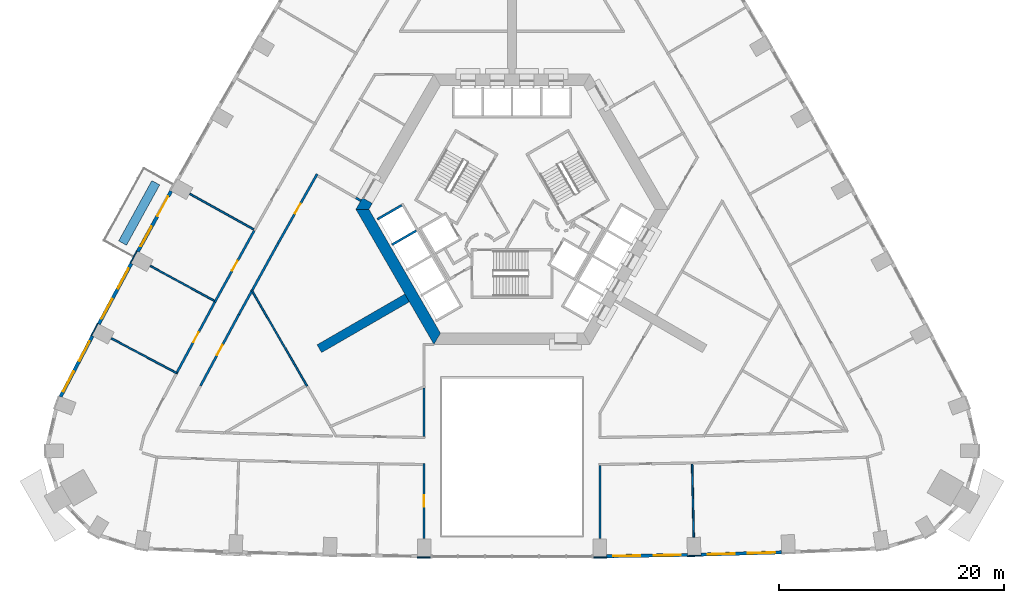
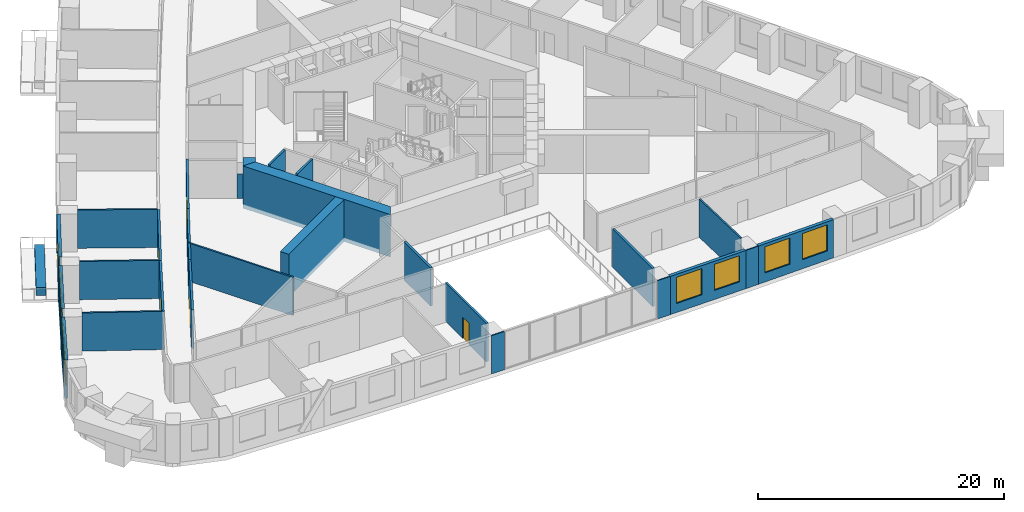
# One storey, part 5 of 16: 31 walls, 9 windows, 6 doors, 15 openings.
"""IFC4 building model written with IfcOpenShell, lengths in metres."""

import ifcopenshell
import ifcopenshell.guid

model = None  # the IFC model being written
_history = None  # IfcOwnerHistory: only IFC2X3 demands one
_inside = {}  # id of a spatial element -> (the spatial element, [elements in it])
_under = {}  # id of a project, library or spatial element -> (it, [spatial elements below it])
_declared = {}  # id of a project -> (the project, [libraries it declares])
_typed = {}  # id of a type object -> (the type object, [elements of that type])
_made_of = {}  # id of a material, layer set ... -> (it, [elements and type objects made of it])


def new_model(schema):
    """Start an empty IFC model of exactly this schema.

    Asked for "IFC4X3", IfcOpenShell would pick the latest addendum, in which some entities
    have other attributes; the version numbers below select the first issue.
    IFC2X3 requires an IfcOwnerHistory on every rooted entity: one is made here for all.
    """
    global model, _history
    if schema == "IFC4X3":
        model = ifcopenshell.file(schema_version=(4, 3, 0, 0))
    else:
        model = ifcopenshell.file(schema=schema)
    _inside.clear()
    _under.clear()
    _declared.clear()
    _typed.clear()
    _made_of.clear()
    _history = None
    if model.schema == "IFC2X3":
        org = make("IfcOrganization", Name="unknown")
        user = make(
            "IfcPersonAndOrganization",
            ThePerson=make("IfcPerson", FamilyName="unknown"),
            TheOrganization=org,
        )
        app = make(
            "IfcApplication",
            ApplicationDeveloper=org,
            Version="unknown",
            ApplicationFullName="unknown",
            ApplicationIdentifier="unknown",
        )
        _history = make(
            "IfcOwnerHistory",
            OwningUser=user,
            OwningApplication=app,
            ChangeAction="ADDED",
            CreationDate=0,
        )
    return model


def make(cls, **values):
    """One entity of the class cls with the attributes given. An attribute that is None is left unset."""
    return model.create_entity(
        cls, **{name: value for name, value in values.items() if value is not None}
    )


def rooted(cls, **values):
    """An entity with a GlobalId (a new one), such as an element, a storey or a relation."""
    return make(cls, GlobalId=ifcopenshell.guid.new(), OwnerHistory=_history, **values)


def si_unit(unit_type, name, prefix=None):
    """IfcSIUnit, for example si_unit("LENGTHUNIT", "METRE", prefix="MILLI")."""
    return make("IfcSIUnit", UnitType=unit_type, Prefix=prefix, Name=name)


def assignment(units):
    """IfcUnitAssignment: the units of a project."""
    return None if units is None else make("IfcUnitAssignment", Units=units)


def point(xyz):
    """IfcCartesianPoint."""
    return None if xyz is None else make("IfcCartesianPoint", Coordinates=xyz)


def direction(xyz):
    """IfcDirection."""
    return None if xyz is None else make("IfcDirection", DirectionRatios=xyz)


def frame(location, z_axis=None, x_axis=None):
    """IfcAxis2Placement3D, a coordinate frame: its origin and axes. An axis left out is left unset."""
    return make(
        "IfcAxis2Placement3D",
        Location=point(location),
        Axis=direction(z_axis),
        RefDirection=direction(x_axis),
    )


def frame_2d(location, x_axis=None):
    """IfcAxis2Placement2D, a coordinate frame in the plane: its origin and x axis."""
    return make(
        "IfcAxis2Placement2D", Location=point(location), RefDirection=direction(x_axis)
    )


def origin():
    """The frame at (0, 0, 0) with its axes left unset."""
    return frame((0.0, 0.0, 0.0))


def place(relative_to, where):
    """IfcLocalPlacement: puts the frame where relative to a parent placement (None: the world)."""
    return make(
        "IfcLocalPlacement", PlacementRelTo=relative_to, RelativePlacement=where
    )


def context(
    kind, dimensions, precision=None, world=None, true_north=None, identifier=None
):
    """IfcGeometricRepresentationContext, for example the 3D "Model" context."""
    return make(
        "IfcGeometricRepresentationContext",
        ContextIdentifier=identifier,
        ContextType=kind,
        CoordinateSpaceDimension=dimensions,
        Precision=precision,
        WorldCoordinateSystem=world,
        TrueNorth=true_north,
    )


def subcontext(parent, identifier, kind, view, scale=None):
    """IfcGeometricRepresentationSubContext, for example "Body" below "Model"."""
    return make(
        "IfcGeometricRepresentationSubContext",
        ContextIdentifier=identifier,
        ContextType=kind,
        ParentContext=parent,
        TargetScale=scale,
        TargetView=view,
    )


def project(units=None, contexts=None):
    """IfcProject with its units and contexts."""
    return rooted(
        "IfcProject",
        Name="project",
        RepresentationContexts=contexts,
        UnitsInContext=assignment(units),
    )


def spatial(cls, under=None, at=None, **own):
    """A site, building, storey or space (cls), placed at a placement, below another one or the project."""
    s = rooted(cls, ObjectPlacement=at, **own)
    if under is not None:
        _under.setdefault(under.id(), (under, []))[1].append(s)
    return s


def polyline(points):
    """IfcPolyline through the points."""
    return make("IfcPolyline", Points=[point(p) for p in points])


def profile(cls, at=None, kind="AREA", **sizes):
    """A parametric profile (cls). Its sizes go by their IFC names, for example OverallWidth=200.0."""
    return make(cls, ProfileType=kind, Position=at, **sizes)


def rectangle(**sizes):
    """IfcRectangleProfileDef."""
    return profile("IfcRectangleProfileDef", **sizes)


def outline(outer, holes=None, kind="AREA"):
    """IfcArbitraryClosedProfileDef: a profile drawn as a closed curve; with holes, ...WithVoids."""
    if holes is None:
        return make("IfcArbitraryClosedProfileDef", ProfileType=kind, OuterCurve=outer)
    return make(
        "IfcArbitraryProfileDefWithVoids",
        ProfileType=kind,
        OuterCurve=outer,
        InnerCurves=holes,
    )


def extrude(swept, where, along, depth):
    """IfcExtrudedAreaSolid: the profile swept, set in the frame where, extruded along a direction by depth."""
    return make(
        "IfcExtrudedAreaSolid",
        SweptArea=swept,
        Position=where,
        ExtrudedDirection=direction(along),
        Depth=depth,
    )


def shape(context_of_items, identifier, shape_type, items):
    """IfcShapeRepresentation: the items that make up one representation, for example the "Body"."""
    return make(
        "IfcShapeRepresentation",
        ContextOfItems=context_of_items,
        RepresentationIdentifier=identifier,
        RepresentationType=shape_type,
        Items=items,
    )


def material(Name=None, Category=None):
    """IfcMaterial."""
    return make("IfcMaterial", Name=Name, Category=Category)


def layer(
    of_material, thickness, ventilated=None, Name=None, Category=None, Priority=None
):
    """IfcMaterialLayer: one layer of a wall or slab, of a material (None: an air gap)."""
    return make(
        "IfcMaterialLayer",
        Material=of_material,
        LayerThickness=thickness,
        IsVentilated=ventilated,
        Name=Name,
        Category=Category,
        Priority=Priority,
    )


def layer_set(layers, Name=None):
    """IfcMaterialLayerSet."""
    return make("IfcMaterialLayerSet", MaterialLayers=layers, LayerSetName=Name)


def made_of(thing, what):
    """Note that an element or type object is made of a material, layer set ...; save() writes the relation."""
    if what is not None:
        _made_of.setdefault(what.id(), (what, []))[1].append(thing)
    return thing


def type_object(cls, material=None, **own):
    """A type object (cls), such as IfcWallType, which elements share."""
    return made_of(rooted(cls, **own), material)


def element(
    cls,
    number,
    at=None,
    inside=None,
    cuts=None,
    type_object=None,
    material=None,
    context=None,
    identifier="Body",
    shape_type=None,
    held_by="IfcProductDefinitionShape",
    body=None,
    shapes=None,
    **own,
):
    """One element of the class cls, such as IfcWall. Its Tag is "e" and its number.

    at: its placement. inside: the storey or other place that contains it. cuts: it is an
    opening in that element (IfcRelVoidsElement). A single representation is given by context,
    identifier, shape_type and body (its items); several are given by shapes. held_by: the class
    of the entity that holds the representations. save() writes the other relations.
    """
    e = rooted(cls, Tag="e%d" % number, ObjectPlacement=at, **own)
    if body is not None:
        shapes = [shape(context, identifier, shape_type, body)]
    if shapes is not None:
        e.Representation = make(held_by, Representations=shapes)
    if inside is not None:
        _inside.setdefault(inside.id(), (inside, []))[1].append(e)
    if cuts is not None:
        rooted(
            "IfcRelVoidsElement", RelatingBuildingElement=cuts, RelatedOpeningElement=e
        )
    if type_object is not None:
        _typed.setdefault(type_object.id(), (type_object, []))[1].append(e)
    return made_of(e, material)


def fill(opening, filler):
    """IfcRelFillsElement: the door or window that sits in an opening."""
    return rooted(
        "IfcRelFillsElement",
        RelatingOpeningElement=opening,
        RelatedBuildingElement=filler,
    )


def aggregate(whole, parts):
    """IfcRelAggregates: a whole, such as a stair, and the parts it consists of."""
    return rooted("IfcRelAggregates", RelatingObject=whole, RelatedObjects=parts)


def save(model, path):
    """Write the relations noted so far, then the file.

    IfcRelAggregates (storeys below a building ...), IfcRelContainedInSpatialStructure (elements
    in a storey), IfcRelDefinesByType, IfcRelAssociatesMaterial and IfcRelDeclares: one each for
    every whole, place, type object, material and project.
    """
    for whole, parts in _under.values():
        aggregate(whole, parts)
    for where, things in _inside.values():
        rooted(
            "IfcRelContainedInSpatialStructure",
            RelatedElements=things,
            RelatingStructure=where,
        )
    for kind, things in _typed.values():
        rooted("IfcRelDefinesByType", RelatedObjects=things, RelatingType=kind)
    for what, things in _made_of.values():
        rooted("IfcRelAssociatesMaterial", RelatedObjects=things, RelatingMaterial=what)
    for by, libraries in _declared.values():
        rooted("IfcRelDeclares", RelatingContext=by, RelatedDefinitions=libraries)
    model.write(path)


model = new_model("IFC4")

# Units and contexts
model_context = context("Model", 3, precision=1e-05, world=origin(), true_north=direction((0.0, 1.0)))
body_context = subcontext(model_context, "Body", "Model", "MODEL_VIEW")
ifc_project = project(units=[si_unit("LENGTHUNIT", "METRE"), si_unit("AREAUNIT", "SQUARE_METRE"), si_unit("VOLUMEUNIT", "CUBIC_METRE"), si_unit("PLANEANGLEUNIT", "RADIAN"), si_unit("MASSUNIT", "GRAM", prefix="KILO")], contexts=[model_context])

# Site, building, storey
site_placement = place(None, origin())
site = spatial("IfcSite", under=ifc_project, at=site_placement, CompositionType="ELEMENT")
building_placement = place(site_placement, origin())
building = spatial("IfcBuilding", under=site, at=building_placement, Name="Entoto Arch Interchange Tower", CompositionType="ELEMENT")
storey_placement = place(building_placement, frame((0.0, 0.0, 43.39990234375)))
storey = spatial("IfcBuildingStorey", under=building, at=storey_placement, Name="L08", CompositionType="ELEMENT", Elevation=43.39990234375)

# Walls
ifc_material_1 = material(Name="Concrete C60/75", Category="concrete")
ifc_layer_1 = layer(ifc_material_1, 0.800048828125)
ifc_layer_set_1 = layer_set([ifc_layer_1], Name="Concrete C60/75")
wall_type_1 = type_object("IfcWallType", Name="Buttress wall 800 C60/75", PredefinedType="SHEAR", material=ifc_layer_set_1)
wall_1_placement = place(storey_placement, frame((-9.31005859375, -5.375, -0.39990234375), z_axis=(0.0, 0.0, 1.0), x_axis=(-0.866017533419, -0.500013631625, 0.0)))
element("IfcWall", 1, at=wall_1_placement, inside=storey, type_object=wall_type_1, Name="Buttress wall SW L08", PredefinedType="SHEAR", context=body_context, shape_type="SweptSolid", body=[
    extrude(rectangle(XDim=8.999755859375, YDim=0.800048828125, at=frame_2d((4.5, 0.0))), origin(), (0.0, 0.0, 1.0), 4.199951171875),
])
ifc_layer_2 = layer(ifc_material_1, 1.0)
ifc_layer_set_2 = layer_set([ifc_layer_2], Name="Concrete C60/75")
wall_type_2 = type_object("IfcWallType", Name="Core wall 1000 C60/75", PredefinedType="SHEAR", material=ifc_layer_set_2)
wall_2_placement = place(storey_placement, frame((0.0, 0.0, -0.39990234375)))
element("IfcWall", 2, at=wall_2_placement, inside=storey, type_object=wall_type_2, Name="Core wall NW L08", PredefinedType="SHEAR", context=body_context, shape_type="SweptSolid", body=[
    extrude(outline(polyline([(-12.402099609375, 3.02001953125), (-13.26708984375, 3.52001953125), (-13.85595703125, 2.5), (-12.701904296875, 2.5), (-12.402099609375, 3.02001953125)])), origin(), (0.0, 0.0, 1.0), 4.199951171875),
])
wall_3_placement = place(storey_placement, frame((0.0, 0.0, -0.39990234375)))
element("IfcWall", 3, at=wall_3_placement, inside=storey, type_object=wall_type_2, Name="Core wall SW L08", PredefinedType="SHEAR", context=body_context, shape_type="SweptSolid", body=[
    extrude(outline(polyline([(-13.85595703125, 2.5), (-6.927978515625, -9.5), (-6.35107421875, -8.5), (-12.701904296875, 2.5), (-13.85595703125, 2.5)])), origin(), (0.0, 0.0, 1.0), 4.199951171875),
])
ifc_material_2 = material(Name="Concrete C40/50", Category="concrete")
ifc_layer_3 = layer(ifc_material_2, 0.199951171875)
ifc_layer_set_3 = layer_set([ifc_layer_3], Name="Concrete C40/50")
wall_type_3 = type_object("IfcWallType", Name="LIFT SHAFT WALL 200", PredefinedType="STANDARD", material=ifc_layer_set_3)
wall_4_placement = place(storey_placement, frame((-9.7880859375, 2.85302734375, 0.0), z_axis=(0.0, 0.0, 1.0), x_axis=(-0.865998541277, -0.500046524342, 0.0)))
element("IfcWall", 4, at=wall_4_placement, inside=storey, type_object=wall_type_3, Name="Shaft wall SW3 cross 1", PredefinedType="STANDARD", context=body_context, shape_type="SweptSolid", body=[
    extrude(rectangle(XDim=2.499755859375, YDim=0.199951171875, at=frame_2d((1.25, 0.0))), origin(), (0.0, 0.0, 1.0), 3.800048828125),
])
wall_5_placement = place(storey_placement, frame((-8.488037109375, 0.60205078125, 0.0), z_axis=(0.0, 0.0, 1.0), x_axis=(-0.866022959057, -0.500004234368, 0.0)))
element("IfcWall", 5, at=wall_5_placement, inside=storey, type_object=wall_type_3, Name="Shaft wall SW3 cross 2", PredefinedType="STANDARD", context=body_context, shape_type="SweptSolid", body=[
    extrude(rectangle(XDim=2.5, YDim=0.199951171875, at=frame_2d((1.25, 0.0))), origin(), (0.0, 0.0, 1.0), 3.800048828125),
])
ifc_material_3 = material(Name="Gypsum board partition on steel studs", Category="steel")
ifc_layer_4 = layer(ifc_material_3, 0.14990234375)
ifc_layer_set_4 = layer_set([ifc_layer_4], Name="Gypsum board partition on steel studs")
wall_type_4 = type_object("IfcWallType", Name="PARTITION 150", PredefinedType="PARTITIONING", material=ifc_layer_set_4)
wall_6_placement = place(storey_placement, frame((-18.181884765625, -13.20703125, 0.0), z_axis=(0.0, 0.0, 1.0), x_axis=(-0.500081416649, 0.865978392757, 0.0)))
element("IfcWall", 6, at=wall_6_placement, inside=storey, type_object=wall_type_4, Name="wall:L08:p122", PredefinedType="PARTITIONING", context=body_context, shape_type="SweptSolid", body=[
    extrude(rectangle(XDim=9.890380859375, YDim=0.14990234375, at=frame_2d((4.9453125, 0.0))), origin(), (0.0, 0.0, 1.0), 3.800048828125),
])
wall_7_placement = place(storey_placement, frame((15.988037109375, -20.123046875, 0.0), z_axis=(0.0, 0.0, 1.0), x_axis=(0.022230127358, -0.999752880185, 0.0)))
element("IfcWall", 7, at=wall_7_placement, inside=storey, type_object=wall_type_4, Name="wall:L08:p126", PredefinedType="PARTITIONING", context=body_context, shape_type="SweptSolid", body=[
    extrude(rectangle(XDim=6.479736328125, YDim=0.14990234375, at=frame_2d((3.23974609375, 0.0))), origin(), (0.0, 0.0, 1.0), 3.800048828125),
])
wall_8_placement = place(storey_placement, frame((-22.93505859375, 0.7119140625, 0.0), z_axis=(0.0, 0.0, 1.0), x_axis=(-0.873395616379, 0.487011393389, 0.0)))
element("IfcWall", 8, at=wall_8_placement, inside=storey, type_object=wall_type_4, Name="wall:L08:p141", PredefinedType="PARTITIONING", context=body_context, shape_type="SweptSolid", body=[
    extrude(rectangle(XDim=6.48046875, YDim=0.14990234375, at=frame_2d((3.240234375, 0.0))), origin(), (0.0, 0.0, 1.0), 3.800048828125),
])
wall_9_placement = place(storey_placement, frame((-26.425048828125, -5.623046875, 0.0), z_axis=(0.0, 0.0, 1.0), x_axis=(-0.87825523631, 0.478192157919, 0.0)))
element("IfcWall", 9, at=wall_9_placement, inside=storey, type_object=wall_type_4, Name="wall:L08:p142", PredefinedType="PARTITIONING", context=body_context, shape_type="SweptSolid", body=[
    extrude(rectangle(XDim=6.48095703125, YDim=0.14990234375, at=frame_2d((3.240478515625, 0.0))), origin(), (0.0, 0.0, 1.0), 3.800048828125),
])
wall_10_placement = place(storey_placement, frame((-29.763916015625, -12.0400390625, 0.0), z_axis=(0.0, 0.0, 1.0), x_axis=(-0.883018657393, 0.469337885426, 0.0)))
element("IfcWall", 10, at=wall_10_placement, inside=storey, type_object=wall_type_4, Name="wall:L08:p143", PredefinedType="PARTITIONING", context=body_context, shape_type="SweptSolid", body=[
    extrude(rectangle(XDim=6.579833984375, YDim=0.14990234375, at=frame_2d((3.2900390625, 0.0))), origin(), (0.0, 0.0, 1.0), 3.800048828125),
])

# Wall, opening, door
ifc_layer_5 = layer(ifc_material_3, 0.199951171875)
ifc_layer_set_5 = layer_set([ifc_layer_5], Name="Gypsum board partition on steel studs")
wall_type_5 = type_object("IfcWallType", Name="PARTITION 200", PredefinedType="PARTITIONING", material=ifc_layer_set_5)
wall_11_placement = place(storey_placement, frame((-17.299072265625, 5.616943359375, 0.0), z_axis=(0.0, 0.0, 1.0), x_axis=(-0.491166441632, -0.871065741844, 0.0)))
wall_11 = element("IfcWall", 11, at=wall_11_placement, inside=storey, type_object=wall_type_5, Name="wall:L08:p026", PredefinedType="PARTITIONING", context=body_context, shape_type="SweptSolid", body=[
    extrude(rectangle(XDim=7.028076171875, YDim=0.199951171875, at=frame_2d((3.51416015625, 0.0))), origin(), (0.0, 0.0, 1.0), 3.800048828125),
])
opening_1_placement = place(wall_11_placement, frame((3.013916015625, 0.0, 0.0)))
opening_1 = element("IfcOpeningElement", 12, at=opening_1_placement, cuts=wall_11, Name="Opening L08-D30", PredefinedType="OPENING", context=body_context, shape_type="SweptSolid", body=[
    extrude(rectangle(XDim=1.0, YDim=2.10009765625, at=frame_2d((0.5, 1.050048828125))), frame((0.0, 0.10986328125, 0.0), z_axis=(0.0, -1.0, 0.0), x_axis=(1.0, 0.0, 0.0)), (0.0, 0.0, 1.0), 0.219970703125),
])
ifc_material_4 = material(Name="Timber door leaf in Steel S235 frame", Category="steel")
door_type_1 = type_object("IfcDoorType", Name="DOOR DS-10 1000x2100", OperationType="SINGLE_SWING_LEFT", PredefinedType="DOOR", material=ifc_material_4)
door_1_placement = place(opening_1_placement, origin())
door_1 = element("IfcDoor", 13, at=door_1_placement, inside=storey, type_object=door_type_1, Name="door:L08:30", OperationType="SINGLE_SWING_RIGHT", OverallHeight=2.10009765625, OverallWidth=1.0, PredefinedType="DOOR", context=body_context, shape_type="SweptSolid", body=[
    extrude(rectangle(XDim=1.0, YDim=2.10009765625, at=frame_2d((0.5, 1.050048828125))), frame((0.0, 0.02490234375, 0.0), z_axis=(0.0, -1.0, 0.0), x_axis=(1.0, 0.0, 0.0)), (0.0, 0.0, 1.0), 0.050048828125),
])
fill(opening_1, door_1)

# Walls
wall_12_placement = place(storey_placement, frame((-20.7509765625, -0.5048828125, 0.0), z_axis=(0.0, 0.0, 1.0), x_axis=(-0.482566110981, -0.875859548405, 0.0)))
element("IfcWall", 14, at=wall_12_placement, inside=storey, type_object=wall_type_5, Name="wall:L08:p027", PredefinedType="PARTITIONING", context=body_context, shape_type="SweptSolid", body=[
    extrude(rectangle(XDim=4.74755859375, YDim=0.199951171875, at=frame_2d((2.373779296875, 0.0))), origin(), (0.0, 0.0, 1.0), 3.800048828125),
])
wall_13_placement = place(storey_placement, frame((-23.114013671875, -4.7939453125, 0.0), z_axis=(0.0, 0.0, 1.0), x_axis=(-0.482482362329, -0.875905685586, 0.0)))
element("IfcWall", 15, at=wall_13_placement, inside=storey, type_object=wall_type_5, Name="wall:L08:p029", PredefinedType="PARTITIONING", context=body_context, shape_type="SweptSolid", body=[
    extrude(rectangle(XDim=2.31103515625, YDim=0.199951171875, at=frame_2d((1.155517578125, 0.0))), origin(), (0.0, 0.0, 1.0), 3.800048828125),
])

# Wall, opening, door
wall_14_placement = place(storey_placement, frame((-24.22900390625, -6.818115234375, 0.0), z_axis=(0.0, 0.0, 1.0), x_axis=(-0.473714049803, -0.88067871498, 0.0)))
wall_14 = element("IfcWall", 16, at=wall_14_placement, inside=storey, type_object=wall_type_5, Name="wall:L08:p030", PredefinedType="PARTITIONING", context=body_context, shape_type="SweptSolid", body=[
    extrude(rectangle(XDim=7.208984375, YDim=0.199951171875, at=frame_2d((3.6044921875, 0.0))), origin(), (0.0, 0.0, 1.0), 3.800048828125),
])
opening_2_placement = place(wall_14_placement, frame((3.10400390625, 0.0, 0.0)))
opening_2 = element("IfcOpeningElement", 17, at=opening_2_placement, cuts=wall_14, Name="Opening L08-D32", PredefinedType="OPENING", context=body_context, shape_type="SweptSolid", body=[
    extrude(rectangle(XDim=1.0, YDim=2.10009765625, at=frame_2d((0.5, 1.050048828125))), frame((0.0, 0.10986328125, 0.0), z_axis=(0.0, -1.0, 0.0), x_axis=(1.0, 0.0, 0.0)), (0.0, 0.0, 1.0), 0.219970703125),
])
door_2_placement = place(opening_2_placement, origin())
door_2 = element("IfcDoor", 18, at=door_2_placement, inside=storey, type_object=door_type_1, Name="door:L08:32", OperationType="SINGLE_SWING_RIGHT", OverallHeight=2.10009765625, OverallWidth=1.0, PredefinedType="DOOR", context=body_context, shape_type="SweptSolid", body=[
    extrude(rectangle(XDim=1.0, YDim=2.10009765625, at=frame_2d((0.5, 1.050048828125))), frame((0.0, 0.02490234375, 0.0), z_axis=(0.0, -1.0, 0.0), x_axis=(1.0, 0.0, 0.0)), (0.0, 0.0, 1.0), 0.050048828125),
])
fill(opening_2, door_2)

wall_15_placement = place(storey_placement, frame((-26.373046875, -5.736083984375, 0.0), z_axis=(0.0, 0.0, 1.0), x_axis=(0.482587313112, 0.875847866483, 0.0)))
wall_15 = element("IfcWall", 19, at=wall_15_placement, inside=storey, type_object=wall_type_5, Name="wall:L08:p064", PredefinedType="PARTITIONING", context=body_context, shape_type="SweptSolid", body=[
    extrude(rectangle(XDim=7.23193359375, YDim=0.199951171875, at=frame_2d((3.615966796875, 0.0))), origin(), (0.0, 0.0, 1.0), 3.800048828125),
])
opening_3_placement = place(wall_15_placement, frame((3.19091796875, 0.0, 0.0)))
opening_3 = element("IfcOpeningElement", 20, at=opening_3_placement, cuts=wall_15, Name="Opening L08-D17", PredefinedType="OPENING", context=body_context, shape_type="SweptSolid", body=[
    extrude(rectangle(XDim=1.0, YDim=2.10009765625, at=frame_2d((0.5, 1.050048828125))), frame((0.0, 0.10986328125, 0.0), z_axis=(0.0, -1.0, 0.0), x_axis=(1.0, 0.0, 0.0)), (0.0, 0.0, 1.0), 0.219970703125),
])
door_3_placement = place(opening_3_placement, origin())
door_3 = element("IfcDoor", 21, at=door_3_placement, inside=storey, type_object=door_type_1, Name="door:L08:17", OperationType="SINGLE_SWING_LEFT", OverallHeight=2.10009765625, OverallWidth=1.0, PredefinedType="DOOR", context=body_context, shape_type="SweptSolid", body=[
    extrude(rectangle(XDim=1.0, YDim=2.10009765625, at=frame_2d((0.5, 1.050048828125))), frame((0.0, 0.02490234375, 0.0), z_axis=(0.0, -1.0, 0.0), x_axis=(1.0, 0.0, 0.0)), (0.0, 0.0, 1.0), 0.050048828125),
])
fill(opening_3, door_3)

wall_16_placement = place(storey_placement, frame((-29.799072265625, -12.10595703125, 0.0), z_axis=(0.0, 0.0, 1.0), x_axis=(0.473681086062, 0.880696445268, 0.0)))
wall_16 = element("IfcWall", 22, at=wall_16_placement, inside=storey, type_object=wall_type_5, Name="wall:L08:p065", PredefinedType="PARTITIONING", context=body_context, shape_type="SweptSolid", body=[
    extrude(rectangle(XDim=7.232666015625, YDim=0.199951171875, at=frame_2d((3.6162109375, 0.0))), origin(), (0.0, 0.0, 1.0), 3.800048828125),
])
opening_4_placement = place(wall_16_placement, frame((3.19091796875, 0.0, 0.0)))
opening_4 = element("IfcOpeningElement", 23, at=opening_4_placement, cuts=wall_16, Name="Opening L08-D18", PredefinedType="OPENING", context=body_context, shape_type="SweptSolid", body=[
    extrude(rectangle(XDim=1.0, YDim=2.10009765625, at=frame_2d((0.5, 1.050048828125))), frame((0.0, 0.10986328125, 0.0), z_axis=(0.0, -1.0, 0.0), x_axis=(1.0, 0.0, 0.0)), (0.0, 0.0, 1.0), 0.219970703125),
])
door_4_placement = place(opening_4_placement, origin())
door_4 = element("IfcDoor", 24, at=door_4_placement, inside=storey, type_object=door_type_1, Name="door:L08:18", OperationType="SINGLE_SWING_RIGHT", OverallHeight=2.10009765625, OverallWidth=1.0, PredefinedType="DOOR", context=body_context, shape_type="SweptSolid", body=[
    extrude(rectangle(XDim=1.0, YDim=2.10009765625, at=frame_2d((0.5, 1.050048828125))), frame((0.0, 0.02490234375, 0.0), z_axis=(0.0, -1.0, 0.0), x_axis=(1.0, 0.0, 0.0)), (0.0, 0.0, 1.0), 0.050048828125),
])
fill(opening_4, door_4)

# Walls
wall_17_placement = place(storey_placement, frame((-7.800048828125, -17.656982421875, 0.0), z_axis=(0.0, 0.0, 1.0), x_axis=(0.0, 1.0, 0.0)))
element("IfcWall", 25, at=wall_17_placement, inside=storey, type_object=wall_type_5, Name="wall:L08:p107", PredefinedType="PARTITIONING", context=body_context, shape_type="SweptSolid", body=[
    extrude(rectangle(XDim=4.2958984375, YDim=0.199951171875, at=frame_2d((2.14794921875, 0.0))), origin(), (0.0, 0.0, 1.0), 3.800048828125),
])
wall_18_placement = place(storey_placement, frame((7.800048828125, -20.257080078125, 0.0), z_axis=(0.0, 0.0, 1.0), x_axis=(0.0, -1.0, 0.0)))
element("IfcWall", 26, at=wall_18_placement, inside=storey, type_object=wall_type_5, Name="wall:L08:p108", PredefinedType="PARTITIONING", context=body_context, shape_type="SweptSolid", body=[
    extrude(rectangle(XDim=6.48095703125, YDim=0.199951171875, at=frame_2d((3.240478515625, 0.0))), origin(), (0.0, 0.0, 1.0), 3.800048828125),
])

# Wall, opening, door
wall_19_placement = place(storey_placement, frame((-7.800048828125, -26.738037109375, 0.0), z_axis=(0.0, 0.0, 1.0), x_axis=(0.0, 1.0, 0.0)))
wall_19 = element("IfcWall", 27, at=wall_19_placement, inside=storey, type_object=wall_type_5, Name="wall:L08:p109", PredefinedType="PARTITIONING", context=body_context, shape_type="SweptSolid", body=[
    extrude(rectangle(XDim=6.68115234375, YDim=0.199951171875, at=frame_2d((3.340576171875, 0.0))), origin(), (0.0, 0.0, 1.0), 3.800048828125),
])
opening_5_placement = place(wall_19_placement, frame((2.841064453125, 0.0, 0.0)))
opening_5 = element("IfcOpeningElement", 28, at=opening_5_placement, cuts=wall_19, Name="Opening L08-D22", PredefinedType="OPENING", context=body_context, shape_type="SweptSolid", body=[
    extrude(rectangle(XDim=1.0, YDim=2.10009765625, at=frame_2d((0.5, 1.050048828125))), frame((0.0, 0.10986328125, 0.0), z_axis=(0.0, -1.0, 0.0), x_axis=(1.0, 0.0, 0.0)), (0.0, 0.0, 1.0), 0.219970703125),
])
door_5_placement = place(opening_5_placement, origin())
door_5 = element("IfcDoor", 29, at=door_5_placement, inside=storey, type_object=door_type_1, Name="door:L08:22", OperationType="SINGLE_SWING_LEFT", OverallHeight=2.10009765625, OverallWidth=1.0, PredefinedType="DOOR", context=body_context, shape_type="SweptSolid", body=[
    extrude(rectangle(XDim=1.0, YDim=2.10009765625, at=frame_2d((0.5, 1.050048828125))), frame((0.0, 0.02490234375, 0.0), z_axis=(0.0, -1.0, 0.0), x_axis=(1.0, 0.0, 0.0)), (0.0, 0.0, 1.0), 0.050048828125),
])
fill(opening_5, door_5)

# Walls
wall_20_placement = place(storey_placement, frame((-13.85009765625, 3.510009765625, 0.0), z_axis=(0.0, 0.0, 1.0), x_axis=(0.866071776036, -0.499919672301, 0.0)))
element("IfcWall", 30, at=wall_20_placement, inside=storey, type_object=wall_type_5, Name="wall:L08:p025", PredefinedType="PARTITIONING", context=body_context, shape_type="SweptSolid", body=[
    extrude(rectangle(XDim=0.5, YDim=0.199951171875, at=frame_2d((0.25, 0.0))), origin(), (0.0, 0.0, 1.0), 2.400146484375),
])
ifc_material_5 = material(Name="Board-marked precast concrete C50/60", Category="concrete")
ifc_layer_6 = layer(ifc_material_5, 0.800048828125)
ifc_layer_set_6 = layer_set([ifc_layer_6], Name="Board-marked precast concrete C50/60")
wall_type_6 = type_object("IfcWallType", Name="PLANTER RC 800 Hagenia abyssinica", PredefinedType="STANDARD", material=ifc_layer_set_6)
wall_21_placement = place(storey_placement, frame((-31.613037109375, 4.85498046875, 0.0), z_axis=(0.0, 0.0, 1.0), x_axis=(-0.482565377311, -0.87585995263, 0.0)))
element("IfcWall", 31, at=wall_21_placement, inside=storey, type_object=wall_type_6, Name="Planter NW-07 L08", PredefinedType="STANDARD", context=body_context, shape_type="SweptSolid", body=[
    extrude(rectangle(XDim=6.114990234375, YDim=0.800048828125, at=frame_2d((3.0576171875, 0.0))), origin(), (0.0, 0.0, 1.0), 0.800048828125),
])

# Wall, openings, windows
ifc_material_6 = material(Name="Welded tuff (ignimbrite) cladding, warm buff", Category="masonry")
ifc_layer_7 = layer(ifc_material_6, 0.300048828125)
ifc_layer_set_7 = layer_set([ifc_layer_7], Name="Welded tuff (ignimbrite) cladding, warm buff")
wall_type_7 = type_object("IfcWallType", Name="STONE INFILL WALL 300", PredefinedType="STANDARD", material=ifc_layer_set_7)
wall_22_placement = place(storey_placement, frame((8.39794921875, -28.298095703125, 0.0), z_axis=(0.0, 0.0, 1.0), x_axis=(0.999866467443, 0.016341581408, 0.0)))
wall_22 = element("IfcWall", 32, at=wall_22_placement, inside=storey, type_object=wall_type_7, Name="Facade wall S-05 L08", PredefinedType="STANDARD", context=body_context, shape_type="SweptSolid", body=[
    extrude(rectangle(XDim=7.171142578125, YDim=0.300048828125, at=frame_2d((3.58544921875, 0.0))), origin(), (0.0, 0.0, 1.0), 3.800048828125),
])
opening_6_placement = place(wall_22_placement, frame((0.593017578125, 0.0, 0.89990234375)))
opening_6 = element("IfcOpeningElement", 33, at=opening_6_placement, cuts=wall_22, Name="Opening WO-A", PredefinedType="OPENING", context=body_context, shape_type="SweptSolid", body=[
    extrude(rectangle(XDim=2.39990234375, YDim=2.60009765625, at=frame_2d((1.199951171875, 1.300048828125))), frame((0.0, 0.16015625, 0.0), z_axis=(0.0, -1.0, 0.0), x_axis=(1.0, 0.0, 0.0)), (0.0, 0.0, 1.0), 0.320068359375),
])
opening_7_placement = place(wall_22_placement, frame((4.177978515625, 0.0, 0.89990234375)))
opening_7 = element("IfcOpeningElement", 34, at=opening_7_placement, cuts=wall_22, Name="Opening WO-A", PredefinedType="OPENING", context=body_context, shape_type="SweptSolid", body=[
    extrude(rectangle(XDim=2.39990234375, YDim=2.60009765625, at=frame_2d((1.199951171875, 1.300048828125))), frame((0.0, 0.16015625, 0.0), z_axis=(0.0, -1.0, 0.0), x_axis=(1.0, 0.0, 0.0)), (0.0, 0.0, 1.0), 0.320068359375),
])
ifc_material_7 = material(Name="Clear glass, low-e double glazed", Category="glass")
window_type_1 = type_object("IfcWindowType", Name="WINDOW WO-A 2400x2600", PartitioningType="DOUBLE_PANEL_VERTICAL", PredefinedType="WINDOW", material=ifc_material_7)
window_1_placement = place(opening_6_placement, origin())
window_1 = element("IfcWindow", 35, at=window_1_placement, inside=storey, type_object=window_type_1, Name="Window WO-A S-05 L08", OverallHeight=2.60009765625, OverallWidth=2.39990234375, PartitioningType="SINGLE_PANEL", PredefinedType="WINDOW", context=body_context, shape_type="SweptSolid", body=[
    extrude(rectangle(XDim=2.39990234375, YDim=2.60009765625, at=frame_2d((1.199951171875, 1.300048828125))), frame((0.0, 0.030029296875, 0.0), z_axis=(0.0, -1.0, 0.0), x_axis=(1.0, 0.0, 0.0)), (0.0, 0.0, 1.0), 0.06005859375),
])
fill(opening_6, window_1)
window_2_placement = place(opening_7_placement, origin())
window_2 = element("IfcWindow", 36, at=window_2_placement, inside=storey, type_object=window_type_1, Name="Window WO-A S-05 L08", OverallHeight=2.60009765625, OverallWidth=2.39990234375, PartitioningType="SINGLE_PANEL", PredefinedType="WINDOW", context=body_context, shape_type="SweptSolid", body=[
    extrude(rectangle(XDim=2.39990234375, YDim=2.60009765625, at=frame_2d((1.199951171875, 1.300048828125))), frame((0.0, 0.030029296875, 0.0), z_axis=(0.0, -1.0, 0.0), x_axis=(1.0, 0.0, 0.0)), (0.0, 0.0, 1.0), 0.06005859375),
])
fill(opening_7, window_2)

wall_23_placement = place(storey_placement, frame((16.764892578125, -28.154052734375, 0.0), z_axis=(0.0, 0.0, 1.0), x_axis=(0.999611502654, 0.02787191709, 0.0)))
wall_23 = element("IfcWall", 37, at=wall_23_placement, inside=storey, type_object=wall_type_7, Name="Facade wall S-06 L08", PredefinedType="STANDARD", context=body_context, shape_type="SweptSolid", body=[
    extrude(rectangle(XDim=7.173828125, YDim=0.300048828125, at=frame_2d((3.5869140625, 0.0))), origin(), (0.0, 0.0, 1.0), 3.800048828125),
])
opening_8_placement = place(wall_23_placement, frame((0.593017578125, 0.0, 0.89990234375)))
opening_8 = element("IfcOpeningElement", 38, at=opening_8_placement, cuts=wall_23, Name="Opening WO-A", PredefinedType="OPENING", context=body_context, shape_type="SweptSolid", body=[
    extrude(rectangle(XDim=2.39990234375, YDim=2.60009765625, at=frame_2d((1.199951171875, 1.300048828125))), frame((0.0, 0.16015625, 0.0), z_axis=(0.0, -1.0, 0.0), x_axis=(1.0, 0.0, 0.0)), (0.0, 0.0, 1.0), 0.320068359375),
])
opening_9_placement = place(wall_23_placement, frame((4.179931640625, 0.0, 0.89990234375)))
opening_9 = element("IfcOpeningElement", 39, at=opening_9_placement, cuts=wall_23, Name="Opening WO-A", PredefinedType="OPENING", context=body_context, shape_type="SweptSolid", body=[
    extrude(rectangle(XDim=2.39990234375, YDim=2.60009765625, at=frame_2d((1.199951171875, 1.300048828125))), frame((0.0, 0.16015625, 0.0), z_axis=(0.0, -1.0, 0.0), x_axis=(1.0, 0.0, 0.0)), (0.0, 0.0, 1.0), 0.320068359375),
])
window_3_placement = place(opening_8_placement, origin())
window_3 = element("IfcWindow", 40, at=window_3_placement, inside=storey, type_object=window_type_1, Name="Window WO-A S-06 L08", OverallHeight=2.60009765625, OverallWidth=2.39990234375, PartitioningType="SINGLE_PANEL", PredefinedType="WINDOW", context=body_context, shape_type="SweptSolid", body=[
    extrude(rectangle(XDim=2.39990234375, YDim=2.60009765625, at=frame_2d((1.199951171875, 1.300048828125))), frame((0.0, 0.030029296875, 0.0), z_axis=(0.0, -1.0, 0.0), x_axis=(1.0, 0.0, 0.0)), (0.0, 0.0, 1.0), 0.06005859375),
])
fill(opening_8, window_3)
window_4_placement = place(opening_9_placement, origin())
window_4 = element("IfcWindow", 41, at=window_4_placement, inside=storey, type_object=window_type_1, Name="Window WO-A S-06 L08", OverallHeight=2.60009765625, OverallWidth=2.39990234375, PartitioningType="SINGLE_PANEL", PredefinedType="WINDOW", context=body_context, shape_type="SweptSolid", body=[
    extrude(rectangle(XDim=2.39990234375, YDim=2.60009765625, at=frame_2d((1.199951171875, 1.300048828125))), frame((0.0, 0.030029296875, 0.0), z_axis=(0.0, -1.0, 0.0), x_axis=(1.0, 0.0, 0.0)), (0.0, 0.0, 1.0), 0.06005859375),
])
fill(opening_9, window_4)

# Wall, openings, door, window
wall_24_placement = place(storey_placement, frame((-30.2548828125, 4.10693359375, 0.0), z_axis=(0.0, 0.0, 1.0), x_axis=(-0.482596003603, -0.875843078015, 0.0)))
wall_24 = element("IfcWall", 42, at=wall_24_placement, inside=storey, type_object=wall_type_7, Name="Facade wall NW-07 L08", PredefinedType="STANDARD", context=body_context, shape_type="SweptSolid", body=[
    extrude(rectangle(XDim=6.115234375, YDim=0.300048828125, at=frame_2d((3.0576171875, 0.0))), origin(), (0.0, 0.0, 1.0), 3.800048828125),
])
opening_10_placement = place(wall_24_placement, frame((0.529052734375, 0.0, 0.0)))
opening_10 = element("IfcOpeningElement", 43, at=opening_10_placement, cuts=wall_24, Name="Opening DB-NW-07-L08", PredefinedType="OPENING", context=body_context, shape_type="SweptSolid", body=[
    extrude(rectangle(XDim=2.0, YDim=2.39990234375, at=frame_2d((1.0, 1.199951171875))), frame((0.0, 0.16015625, 0.0), z_axis=(0.0, -1.0, 0.0), x_axis=(1.0, 0.0, 0.0)), (0.0, 0.0, 1.0), 0.320068359375),
])
opening_11_placement = place(wall_24_placement, frame((3.5859375, 0.0, 0.89990234375)))
opening_11 = element("IfcOpeningElement", 44, at=opening_11_placement, cuts=wall_24, Name="Opening WO-C", PredefinedType="OPENING", context=body_context, shape_type="SweptSolid", body=[
    extrude(rectangle(XDim=2.0, YDim=2.60009765625, at=frame_2d((1.0, 1.300048828125))), frame((0.0, 0.16015625, 0.0), z_axis=(0.0, -1.0, 0.0), x_axis=(1.0, 0.0, 0.0)), (0.0, 0.0, 1.0), 0.320068359375),
])
ifc_material_8 = material(Name="Aluminium and clear glass, anodised", Category="aluminium")
door_type_2 = type_object("IfcDoorType", Name="BALCONY DOOR DB 2000x2400", OperationType="SLIDING_TO_LEFT", PredefinedType="DOOR", material=ifc_material_8)
door_6_placement = place(opening_10_placement, origin())
door_6 = element("IfcDoor", 45, at=door_6_placement, inside=storey, type_object=door_type_2, Name="Balcony door NW-07 L08", OperationType="SLIDING_TO_LEFT", OverallHeight=2.39990234375, OverallWidth=2.0, PredefinedType="DOOR", context=body_context, shape_type="SweptSolid", body=[
    extrude(rectangle(XDim=2.0, YDim=2.39990234375, at=frame_2d((1.0, 1.199951171875))), frame((0.0, 0.02490234375, 0.0), z_axis=(0.0, -1.0, 0.0), x_axis=(1.0, 0.0, 0.0)), (0.0, 0.0, 1.0), 0.050048828125),
])
fill(opening_10, door_6)
window_type_2 = type_object("IfcWindowType", Name="WINDOW WO-C 2000x2600", PartitioningType="DOUBLE_PANEL_VERTICAL", PredefinedType="WINDOW", material=ifc_material_7)
window_5_placement = place(opening_11_placement, origin())
window_5 = element("IfcWindow", 46, at=window_5_placement, inside=storey, type_object=window_type_2, Name="Window WO-C NW-07 L08", OverallHeight=2.60009765625, OverallWidth=2.0, PartitioningType="SINGLE_PANEL", PredefinedType="WINDOW", context=body_context, shape_type="SweptSolid", body=[
    extrude(rectangle(XDim=2.0, YDim=2.60009765625, at=frame_2d((1.0, 1.300048828125))), frame((0.0, 0.030029296875, 0.0), z_axis=(0.0, -1.0, 0.0), x_axis=(1.0, 0.0, 0.0)), (0.0, 0.0, 1.0), 0.06005859375),
])
fill(opening_11, window_5)

# Wall, openings, windows
wall_25_placement = place(storey_placement, frame((-33.779052734375, -2.301025390625, 0.0), z_axis=(0.0, 0.0, 1.0), x_axis=(-0.47375467653, -0.880656860795, 0.0)))
wall_25 = element("IfcWall", 47, at=wall_25_placement, inside=storey, type_object=wall_type_7, Name="Facade wall NW-08 L08", PredefinedType="STANDARD", context=body_context, shape_type="SweptSolid", body=[
    extrude(rectangle(XDim=6.116943359375, YDim=0.300048828125, at=frame_2d((3.05859375, 0.0))), origin(), (0.0, 0.0, 1.0), 3.800048828125),
])
opening_12_placement = place(wall_25_placement, frame((0.529052734375, 0.0, 0.89990234375)))
opening_12 = element("IfcOpeningElement", 48, at=opening_12_placement, cuts=wall_25, Name="Opening WO-C", PredefinedType="OPENING", context=body_context, shape_type="SweptSolid", body=[
    extrude(rectangle(XDim=2.0, YDim=2.60009765625, at=frame_2d((1.0, 1.300048828125))), frame((0.0, 0.16015625, 0.0), z_axis=(0.0, -1.0, 0.0), x_axis=(1.0, 0.0, 0.0)), (0.0, 0.0, 1.0), 0.320068359375),
])
opening_13_placement = place(wall_25_placement, frame((3.587890625, 0.0, 0.89990234375)))
opening_13 = element("IfcOpeningElement", 49, at=opening_13_placement, cuts=wall_25, Name="Opening WO-C", PredefinedType="OPENING", context=body_context, shape_type="SweptSolid", body=[
    extrude(rectangle(XDim=2.0, YDim=2.60009765625, at=frame_2d((1.0, 1.300048828125))), frame((0.0, 0.16015625, 0.0), z_axis=(0.0, -1.0, 0.0), x_axis=(1.0, 0.0, 0.0)), (0.0, 0.0, 1.0), 0.320068359375),
])
window_6_placement = place(opening_12_placement, origin())
window_6 = element("IfcWindow", 50, at=window_6_placement, inside=storey, type_object=window_type_2, Name="Window WO-C NW-08 L08", OverallHeight=2.60009765625, OverallWidth=2.0, PartitioningType="SINGLE_PANEL", PredefinedType="WINDOW", context=body_context, shape_type="SweptSolid", body=[
    extrude(rectangle(XDim=2.0, YDim=2.60009765625, at=frame_2d((1.0, 1.300048828125))), frame((0.0, 0.030029296875, 0.0), z_axis=(0.0, -1.0, 0.0), x_axis=(1.0, 0.0, 0.0)), (0.0, 0.0, 1.0), 0.06005859375),
])
fill(opening_12, window_6)
window_7_placement = place(opening_13_placement, origin())
window_7 = element("IfcWindow", 51, at=window_7_placement, inside=storey, type_object=window_type_2, Name="Window WO-C NW-08 L08", OverallHeight=2.60009765625, OverallWidth=2.0, PartitioningType="SINGLE_PANEL", PredefinedType="WINDOW", context=body_context, shape_type="SweptSolid", body=[
    extrude(rectangle(XDim=2.0, YDim=2.60009765625, at=frame_2d((1.0, 1.300048828125))), frame((0.0, 0.030029296875, 0.0), z_axis=(0.0, -1.0, 0.0), x_axis=(1.0, 0.0, 0.0)), (0.0, 0.0, 1.0), 0.06005859375),
])
fill(opening_13, window_7)

wall_26_placement = place(storey_placement, frame((-37.239013671875, -8.74609375, 0.0), z_axis=(0.0, 0.0, 1.0), x_axis=(-0.464913987781, -0.885355851602, 0.0)))
wall_26 = element("IfcWall", 52, at=wall_26_placement, inside=storey, type_object=wall_type_7, Name="Facade wall NW-09 L08", PredefinedType="STANDARD", context=body_context, shape_type="SweptSolid", body=[
    extrude(rectangle(XDim=6.093505859375, YDim=0.300048828125, at=frame_2d((3.046875, 0.0))), origin(), (0.0, 0.0, 1.0), 3.800048828125),
])
opening_14_placement = place(wall_26_placement, frame((0.52294921875, 0.0, 0.89990234375)))
opening_14 = element("IfcOpeningElement", 53, at=opening_14_placement, cuts=wall_26, Name="Opening WO-C", PredefinedType="OPENING", context=body_context, shape_type="SweptSolid", body=[
    extrude(rectangle(XDim=2.0, YDim=2.60009765625, at=frame_2d((1.0, 1.300048828125))), frame((0.0, 0.16015625, 0.0), z_axis=(0.0, -1.0, 0.0), x_axis=(1.0, 0.0, 0.0)), (0.0, 0.0, 1.0), 0.320068359375),
])
opening_15_placement = place(wall_26_placement, frame((3.570068359375, 0.0, 0.89990234375)))
opening_15 = element("IfcOpeningElement", 54, at=opening_15_placement, cuts=wall_26, Name="Opening WO-C", PredefinedType="OPENING", context=body_context, shape_type="SweptSolid", body=[
    extrude(rectangle(XDim=2.0, YDim=2.60009765625, at=frame_2d((1.0, 1.300048828125))), frame((0.0, 0.16015625, 0.0), z_axis=(0.0, -1.0, 0.0), x_axis=(1.0, 0.0, 0.0)), (0.0, 0.0, 1.0), 0.320068359375),
])
window_8_placement = place(opening_14_placement, origin())
window_8 = element("IfcWindow", 55, at=window_8_placement, inside=storey, type_object=window_type_2, Name="Window WO-C NW-09 L08", OverallHeight=2.60009765625, OverallWidth=2.0, PartitioningType="SINGLE_PANEL", PredefinedType="WINDOW", context=body_context, shape_type="SweptSolid", body=[
    extrude(rectangle(XDim=2.0, YDim=2.60009765625, at=frame_2d((1.0, 1.300048828125))), frame((0.0, 0.030029296875, 0.0), z_axis=(0.0, -1.0, 0.0), x_axis=(1.0, 0.0, 0.0)), (0.0, 0.0, 1.0), 0.06005859375),
])
fill(opening_14, window_8)
window_9_placement = place(opening_15_placement, origin())
window_9 = element("IfcWindow", 56, at=window_9_placement, inside=storey, type_object=window_type_2, Name="Window WO-C NW-09 L08", OverallHeight=2.60009765625, OverallWidth=2.0, PartitioningType="SINGLE_PANEL", PredefinedType="WINDOW", context=body_context, shape_type="SweptSolid", body=[
    extrude(rectangle(XDim=2.0, YDim=2.60009765625, at=frame_2d((1.0, 1.300048828125))), frame((0.0, 0.030029296875, 0.0), z_axis=(0.0, -1.0, 0.0), x_axis=(1.0, 0.0, 0.0)), (0.0, 0.0, 1.0), 0.06005859375),
])
fill(opening_15, window_9)

# Walls
ifc_layer_8 = layer(ifc_material_6, 0.10009765625)
ifc_layer_set_8 = layer_set([ifc_layer_8], Name="Welded tuff (ignimbrite) cladding, warm buff")
wall_type_8 = type_object("IfcWallType", Name="STONE PIER CLADDING 100", PredefinedType="STANDARD", material=ifc_layer_set_8)
wall_27_placement = place(storey_placement, frame((-33.2958984375, -1.198974609375, 0.0), z_axis=(0.0, 0.0, 1.0), x_axis=(-0.478424520456, -0.878128679765, 0.0)))
element("IfcWall", 57, at=wall_27_placement, inside=storey, type_object=wall_type_8, Name="Stone pier NW08 L08", PredefinedType="STANDARD", context=body_context, shape_type="SweptSolid", body=[
    extrude(rectangle(XDim=1.2001953125, YDim=0.10009765625, at=frame_2d((0.60009765625, 0.0))), origin(), (0.0, 0.0, 1.0), 3.800048828125),
])
wall_28_placement = place(storey_placement, frame((-36.76708984375, -7.638916015625, 0.0), z_axis=(0.0, 0.0, 1.0), x_axis=(-0.469383408131, -0.882994459876, 0.0)))
element("IfcWall", 58, at=wall_28_placement, inside=storey, type_object=wall_type_8, Name="Stone pier NW09 L08", PredefinedType="STANDARD", context=body_context, shape_type="SweptSolid", body=[
    extrude(rectangle(XDim=1.199462890625, YDim=0.10009765625, at=frame_2d((0.599609375, 0.0))), origin(), (0.0, 0.0, 1.0), 3.800048828125),
])
for number, where, z_axis, x_axis, name in (
    (59, (-8.39990234375, -28.403076171875, 0.0), (0.0, 0.0, 1.0), (0.999965208912, -0.008341520563, 0.0), "Stone pier S04 L08"),
    (60, (7.199951171875, -28.4130859375, 0.0), (0.0, 0.0, 1.0), (0.999965208912, 0.008341520563, 0.0), "Stone pier S05 L08"),
):
    element("IfcWall", number, at=place(storey_placement, frame(where, z_axis=z_axis, x_axis=x_axis)), inside=storey, type_object=wall_type_8, Name=name, PredefinedType="STANDARD", context=body_context, shape_type="SweptSolid", body=[
        extrude(rectangle(XDim=1.199951171875, YDim=0.10009765625, at=frame_2d((0.60009765625, 0.0))), origin(), (0.0, 0.0, 1.0), 3.800048828125),
    ])
wall_29_placement = place(storey_placement, frame((15.569091796875, -28.283935546875, 0.0), z_axis=(0.0, 0.0, 1.0), x_axis=(0.99976752127, 0.021561618973, 0.0)))
element("IfcWall", 61, at=wall_29_placement, inside=storey, type_object=wall_type_8, Name="Stone pier S06 L08", PredefinedType="STANDARD", context=body_context, shape_type="SweptSolid", body=[
    extrude(rectangle(XDim=1.2001953125, YDim=0.10009765625, at=frame_2d((0.60009765625, 0.0))), origin(), (0.0, 0.0, 1.0), 3.800048828125),
])

save(model, "model.ifc")
